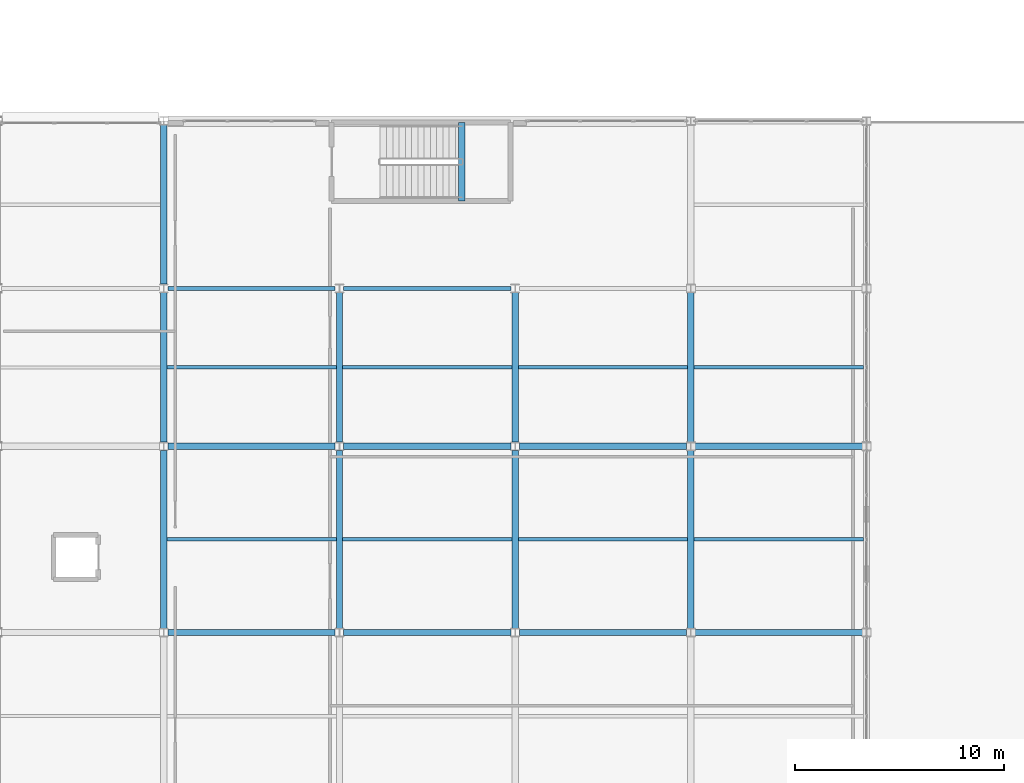
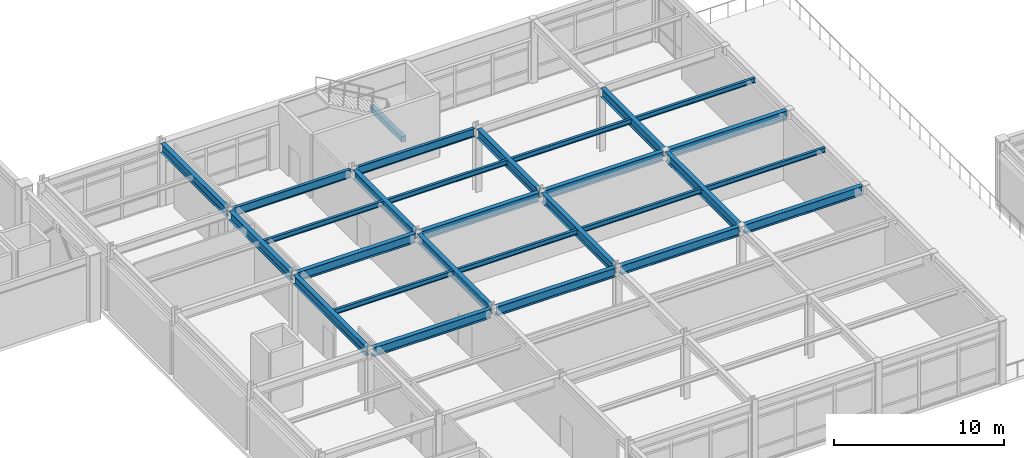
# One storey, part 33 of 93: 28 beams.
"""IFC4 building model written with IfcOpenShell, lengths in metres."""

from ifc_helpers import new_model, si_unit, direction, frame, origin, origin_2d, place, context, subcontext, project, spatial, rectangle, i_section, extrude, material, material_profile, profile_set, type_object, element, save


model = new_model("IFC4")

# Units and contexts
model_context = context("Model", 3, precision=1e-05, world=origin(), true_north=direction((0.0, 1.0)))
body_context = subcontext(model_context, "Body", "Model", "MODEL_VIEW")
ifc_project = project(units=[si_unit("LENGTHUNIT", "METRE"), si_unit("AREAUNIT", "SQUARE_METRE"), si_unit("VOLUMEUNIT", "CUBIC_METRE"), si_unit("PLANEANGLEUNIT", "RADIAN"), si_unit("MASSUNIT", "GRAM", prefix="KILO")], contexts=[model_context])

# Site, building, storey
site_placement = place(None, origin())
site = spatial("IfcSite", under=ifc_project, at=site_placement, CompositionType="ELEMENT")
building_placement = place(site_placement, origin())
building = spatial("IfcBuilding", under=site, at=building_placement, Name="Kazehara Bluff Congress Hotel", CompositionType="ELEMENT")
storey_placement = place(building_placement, frame((0.0, 0.0, 15.0)))
storey = spatial("IfcBuildingStorey", under=building, at=storey_placement, Name="L03", CompositionType="ELEMENT", Elevation=15.0)

# Beams
ifc_material_1 = material(Name="Steel SN490B", Category="steel")
ifc_material_profile_1 = material_profile(ifc_material_1, i_section(OverallWidth=0.300048828125, OverallDepth=0.64990234375, WebThickness=0.011962890625, FlangeThickness=0.02001953125, FilletRadius=0.012939453125, at=origin_2d()))
ifc_profile_set_1 = profile_set([ifc_material_profile_1], Name="Steel SN490B")
beam_type_1 = type_object("IfcBeamType", Name="TP-G-03", PredefinedType="BEAM", material=ifc_profile_set_1)
beam_1_placement = place(storey_placement, frame((67.64990234375, 32.199951171875, 4.235107421875), z_axis=(0.0, 1.0, 0.0), x_axis=(-1.0, 0.0, 0.0)))
element("IfcBeam", 1, at=beam_1_placement, inside=storey, type_object=beam_type_1, Name="L03 girder G-03 48", PredefinedType="BEAM", context=body_context, shape_type="SweptSolid", body=[
    extrude(i_section(OverallWidth=0.300048828125, OverallDepth=0.64990234375, WebThickness=0.011962890625, FlangeThickness=0.02001953125, FilletRadius=0.012939453125, at=origin_2d()), origin(), (0.0, 0.0, 1.0), 8.5),
])
beam_2_placement = place(storey_placement, frame((67.64990234375, 41.10009765625, 4.235107421875), z_axis=(0.0, 1.0, 0.0), x_axis=(-1.0, 0.0, 0.0)))
element("IfcBeam", 2, at=beam_2_placement, inside=storey, type_object=beam_type_1, Name="L03 girder G-03 49", PredefinedType="BEAM", context=body_context, shape_type="SweptSolid", body=[
    extrude(i_section(OverallWidth=0.300048828125, OverallDepth=0.64990234375, WebThickness=0.011962890625, FlangeThickness=0.02001953125, FilletRadius=0.012939453125, at=origin_2d()), origin(), (0.0, 0.0, 1.0), 7.14990234375),
])
beam_3_placement = place(storey_placement, frame((67.64990234375, 48.64990234375, 4.235107421875), z_axis=(0.0, 1.0, 0.0), x_axis=(-1.0, 0.0, 0.0)))
element("IfcBeam", 3, at=beam_3_placement, inside=storey, type_object=beam_type_1, Name="L03 girder G-03 50", PredefinedType="BEAM", context=body_context, shape_type="SweptSolid", body=[
    extrude(i_section(OverallWidth=0.300048828125, OverallDepth=0.64990234375, WebThickness=0.011962890625, FlangeThickness=0.02001953125, FilletRadius=0.012939453125, at=origin_2d()), origin(), (0.0, 0.0, 1.0), 7.60009765625),
])
beam_4_placement = place(storey_placement, frame((76.050048828125, 32.199951171875, 4.235107421875), z_axis=(0.0, 1.0, 0.0), x_axis=(-1.0, 0.0, 0.0)))
element("IfcBeam", 4, at=beam_4_placement, inside=storey, type_object=beam_type_1, Name="L03 girder G-03 55", PredefinedType="BEAM", context=body_context, shape_type="SweptSolid", body=[
    extrude(i_section(OverallWidth=0.300048828125, OverallDepth=0.64990234375, WebThickness=0.011962890625, FlangeThickness=0.02001953125, FilletRadius=0.012939453125, at=origin_2d()), origin(), (0.0, 0.0, 1.0), 8.5),
])
beam_5_placement = place(storey_placement, frame((76.050048828125, 41.10009765625, 4.235107421875), z_axis=(0.0, 1.0, 0.0), x_axis=(-1.0, 0.0, 0.0)))
element("IfcBeam", 5, at=beam_5_placement, inside=storey, type_object=beam_type_1, Name="L03 girder G-03 56", PredefinedType="BEAM", context=body_context, shape_type="SweptSolid", body=[
    extrude(i_section(OverallWidth=0.300048828125, OverallDepth=0.64990234375, WebThickness=0.011962890625, FlangeThickness=0.02001953125, FilletRadius=0.012939453125, at=origin_2d()), origin(), (0.0, 0.0, 1.0), 7.14990234375),
])
beam_6_placement = place(storey_placement, frame((84.449951171875, 32.199951171875, 4.235107421875), z_axis=(0.0, 1.0, 0.0), x_axis=(-1.0, 0.0, 0.0)))
element("IfcBeam", 6, at=beam_6_placement, inside=storey, type_object=beam_type_1, Name="L03 girder G-03 59", PredefinedType="BEAM", context=body_context, shape_type="SweptSolid", body=[
    extrude(i_section(OverallWidth=0.300048828125, OverallDepth=0.64990234375, WebThickness=0.011962890625, FlangeThickness=0.02001953125, FilletRadius=0.012939453125, at=origin_2d()), origin(), (0.0, 0.0, 1.0), 8.5),
])
beam_7_placement = place(storey_placement, frame((84.449951171875, 41.10009765625, 4.235107421875), z_axis=(0.0, 1.0, 0.0), x_axis=(-1.0, 0.0, 0.0)))
element("IfcBeam", 7, at=beam_7_placement, inside=storey, type_object=beam_type_1, Name="L03 girder G-03 60", PredefinedType="BEAM", context=body_context, shape_type="SweptSolid", body=[
    extrude(i_section(OverallWidth=0.300048828125, OverallDepth=0.64990234375, WebThickness=0.011962890625, FlangeThickness=0.02001953125, FilletRadius=0.012939453125, at=origin_2d()), origin(), (0.0, 0.0, 1.0), 7.14990234375),
])
beam_8_placement = place(storey_placement, frame((92.85009765625, 32.199951171875, 4.235107421875), z_axis=(0.0, 1.0, 0.0), x_axis=(-1.0, 0.0, 0.0)))
element("IfcBeam", 8, at=beam_8_placement, inside=storey, type_object=beam_type_1, Name="L03 girder G-03 63", PredefinedType="BEAM", context=body_context, shape_type="SweptSolid", body=[
    extrude(i_section(OverallWidth=0.300048828125, OverallDepth=0.64990234375, WebThickness=0.011962890625, FlangeThickness=0.02001953125, FilletRadius=0.012939453125, at=origin_2d()), origin(), (0.0, 0.0, 1.0), 8.5),
])
beam_9_placement = place(storey_placement, frame((92.85009765625, 41.10009765625, 4.235107421875), z_axis=(0.0, 1.0, 0.0), x_axis=(-1.0, 0.0, 0.0)))
element("IfcBeam", 9, at=beam_9_placement, inside=storey, type_object=beam_type_1, Name="L03 girder G-03 64", PredefinedType="BEAM", context=body_context, shape_type="SweptSolid", body=[
    extrude(i_section(OverallWidth=0.300048828125, OverallDepth=0.64990234375, WebThickness=0.011962890625, FlangeThickness=0.02001953125, FilletRadius=0.012939453125, at=origin_2d()), origin(), (0.0, 0.0, 1.0), 7.14990234375),
])
for number, where, z_axis, x_axis, name in (
    (10, (67.85009765625, 32.0, 4.235107421875), (1.0, 0.0, 0.0), (0.0, 1.0, 0.0), "L03 girder G-03 84"),
    (11, (76.25, 32.0, 4.235107421875), (1.0, 0.0, 0.0), (0.0, 1.0, 0.0), "L03 girder G-03 85"),
    (12, (84.64990234375, 32.0, 4.235107421875), (1.0, 0.0, 0.0), (0.0, 1.0, 0.0), "L03 girder G-03 86"),
    (13, (93.050048828125, 32.0, 4.235107421875), (1.0, 0.0, 0.0), (0.0, 1.0, 0.0), "L03 girder G-03 87"),
    (14, (67.85009765625, 40.89990234375, 4.235107421875), (1.0, 0.0, 0.0), (0.0, 1.0, 0.0), "L03 girder G-03 89"),
    (15, (76.25, 40.89990234375, 4.235107421875), (1.0, 0.0, 0.0), (0.0, 1.0, 0.0), "L03 girder G-03 90"),
    (16, (84.64990234375, 40.89990234375, 4.235107421875), (1.0, 0.0, 0.0), (0.0, 1.0, 0.0), "L03 girder G-03 91"),
    (17, (93.050048828125, 40.89990234375, 4.235107421875), (1.0, 0.0, 0.0), (0.0, 1.0, 0.0), "L03 girder G-03 92"),
):
    element("IfcBeam", number, at=place(storey_placement, frame(where, z_axis=z_axis, x_axis=x_axis)), inside=storey, type_object=beam_type_1, Name=name, PredefinedType="BEAM", context=body_context, shape_type="SweptSolid", body=[
        extrude(i_section(OverallWidth=0.300048828125, OverallDepth=0.64990234375, WebThickness=0.011962890625, FlangeThickness=0.02001953125, FilletRadius=0.012939453125, at=origin_2d()), origin(), (0.0, 0.0, 1.0), 8.0),
    ])
ifc_material_2 = material(Name="Steel SN400B", Category="steel")
ifc_material_profile_2 = material_profile(ifc_material_2, i_section(OverallWidth=0.175048828125, OverallDepth=0.35009765625, WebThickness=0.007080078125, FlangeThickness=0.010986328125, FilletRadius=0.012939453125, at=origin_2d()))
ifc_profile_set_2 = profile_set([ifc_material_profile_2], Name="Steel SN400B")
beam_type_2 = type_object("IfcBeamType", Name="TP-J-02", PredefinedType="JOIST", material=ifc_profile_set_2)
for number, where, z_axis, x_axis, name in (
    (18, (67.800048828125, 36.449951171875, 4.385009765625), (1.0, 0.0, 0.0), (0.0, 1.0, 0.0), "L03 secondary joist J-02 7"),
    (19, (67.800048828125, 44.675048828125, 4.385009765625), (1.0, 0.0, 0.0), (0.0, 1.0, 0.0), "L03 secondary joist J-02 8"),
):
    element("IfcBeam", number, at=place(storey_placement, frame(where, z_axis=z_axis, x_axis=x_axis)), inside=storey, type_object=beam_type_2, Name=name, PredefinedType="JOIST", context=body_context, shape_type="SweptSolid", body=[
        extrude(i_section(OverallWidth=0.175048828125, OverallDepth=0.35009765625, WebThickness=0.007080078125, FlangeThickness=0.010986328125, FilletRadius=0.012939453125, at=origin_2d()), origin(), (0.0, 0.0, 1.0), 8.099853515625),
    ])
for number, where, z_axis, x_axis, name in (
    (20, (76.199951171875, 36.449951171875, 4.385009765625), (1.0, 0.0, 0.0), (0.0, 1.0, 0.0), "L03 secondary joist J-02 11"),
    (21, (76.199951171875, 44.675048828125, 4.385009765625), (1.0, 0.0, 0.0), (0.0, 1.0, 0.0), "L03 secondary joist J-02 12"),
):
    element("IfcBeam", number, at=place(storey_placement, frame(where, z_axis=z_axis, x_axis=x_axis)), inside=storey, type_object=beam_type_2, Name=name, PredefinedType="JOIST", context=body_context, shape_type="SweptSolid", body=[
        extrude(i_section(OverallWidth=0.175048828125, OverallDepth=0.35009765625, WebThickness=0.007080078125, FlangeThickness=0.010986328125, FilletRadius=0.012939453125, at=origin_2d()), origin(), (0.0, 0.0, 1.0), 8.10009765625),
    ])
for number, where, z_axis, x_axis, name in (
    (22, (84.60009765625, 36.449951171875, 4.385009765625), (1.0, 0.0, 0.0), (0.0, 1.0, 0.0), "L03 secondary joist J-02 15"),
    (23, (84.60009765625, 44.675048828125, 4.385009765625), (1.0, 0.0, 0.0), (0.0, 1.0, 0.0), "L03 secondary joist J-02 16"),
):
    element("IfcBeam", number, at=place(storey_placement, frame(where, z_axis=z_axis, x_axis=x_axis)), inside=storey, type_object=beam_type_2, Name=name, PredefinedType="JOIST", context=body_context, shape_type="SweptSolid", body=[
        extrude(i_section(OverallWidth=0.175048828125, OverallDepth=0.35009765625, WebThickness=0.007080078125, FlangeThickness=0.010986328125, FilletRadius=0.012939453125, at=origin_2d()), origin(), (0.0, 0.0, 1.0), 8.099853515625),
    ])
for number, where, z_axis, x_axis, name in (
    (24, (93.0, 36.449951171875, 4.385009765625), (1.0, 0.0, 0.0), (0.0, 1.0, 0.0), "L03 secondary joist J-02 19"),
    (25, (93.0, 44.675048828125, 4.385009765625), (1.0, 0.0, 0.0), (0.0, 1.0, 0.0), "L03 secondary joist J-02 20"),
):
    element("IfcBeam", number, at=place(storey_placement, frame(where, z_axis=z_axis, x_axis=x_axis)), inside=storey, type_object=beam_type_2, Name=name, PredefinedType="JOIST", context=body_context, shape_type="SweptSolid", body=[
        extrude(i_section(OverallWidth=0.175048828125, OverallDepth=0.35009765625, WebThickness=0.007080078125, FlangeThickness=0.010986328125, FilletRadius=0.012939453125, at=origin_2d()), origin(), (0.0, 0.0, 1.0), 8.10009765625),
    ])
ifc_material_3 = material(Name="Concrete C40/50", Category="concrete")
ifc_material_profile_3 = material_profile(ifc_material_3, rectangle(XDim=0.300048828125, YDim=0.39990234375, at=origin_2d()))
ifc_profile_set_3 = profile_set([ifc_material_profile_3], Name="Concrete C40/50")
beam_type_3 = type_object("IfcBeamType", Name="TP-LN-02", PredefinedType="LINTEL", material=ifc_profile_set_3)
beam_10_placement = place(storey_placement, frame((81.89990234375, 52.625, 2.02001953125), z_axis=(0.0, 1.0, 0.0), x_axis=(-1.0, 0.0, 0.0)))
element("IfcBeam", 26, at=beam_10_placement, inside=storey, type_object=beam_type_3, Name="L03 ST-09 half-landing support beam 1", PredefinedType="LINTEL", context=body_context, shape_type="SweptSolid", body=[
    extrude(rectangle(XDim=0.300048828125, YDim=0.39990234375, at=origin_2d()), origin(), (0.0, 0.0, 1.0), 3.75),
])
ifc_material_4 = material(Name="Steel SN490B", Category="steel")
ifc_material_profile_4 = material_profile(ifc_material_4, i_section(OverallWidth=0.199951171875, OverallDepth=0.60009765625, WebThickness=0.010986328125, FlangeThickness=0.01708984375, FilletRadius=0.012939453125, at=origin_2d()))
ifc_profile_set_4 = profile_set([ifc_material_profile_4], Name="Steel SN490B")
beam_type_4 = type_object("IfcBeamType", Name="TP-SP-02", PredefinedType="SPANDREL", material=ifc_profile_set_4)
for number, where, z_axis, x_axis, name in (
    (27, (67.85009765625, 48.449951171875, 4.260009765625), (1.0, 0.0, 0.0), (0.0, 1.0, 0.0), "L03 girder SP-02 94"),
    (28, (76.25, 48.449951171875, 4.260009765625), (1.0, 0.0, 0.0), (0.0, 1.0, 0.0), "L03 girder SP-02 95"),
):
    element("IfcBeam", number, at=place(storey_placement, frame(where, z_axis=z_axis, x_axis=x_axis)), inside=storey, type_object=beam_type_4, Name=name, PredefinedType="SPANDREL", context=body_context, shape_type="SweptSolid", body=[
        extrude(i_section(OverallWidth=0.199951171875, OverallDepth=0.60009765625, WebThickness=0.010986328125, FlangeThickness=0.01708984375, FilletRadius=0.012939453125, at=origin_2d()), origin(), (0.0, 0.0, 1.0), 8.0),
    ])

save(model, "model.ifc")
